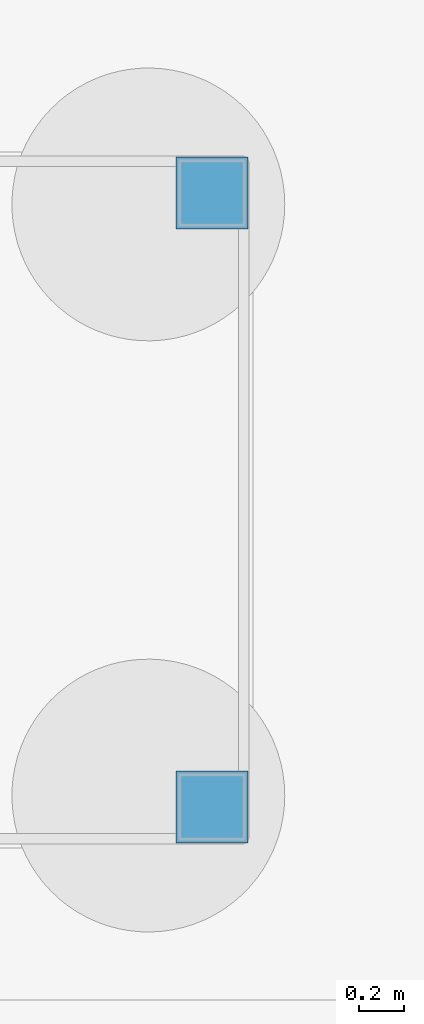
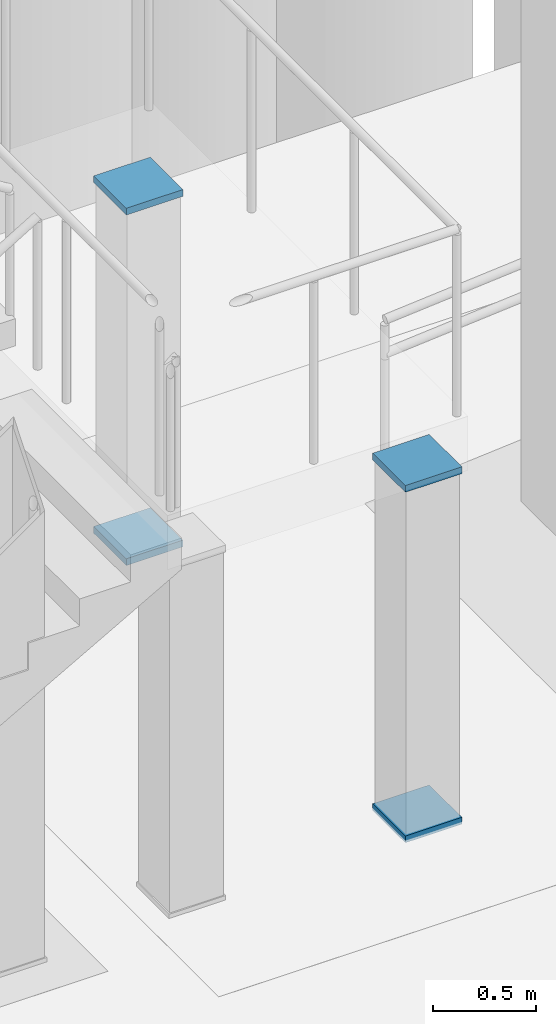
# One storey, part 137 of 160: 4 discrete accessories.
"""IFC4 building model written with IfcOpenShell, lengths in metres."""

from ifc_helpers import new_model, si_unit, direction, frame, origin, origin_2d, place, context, subcontext, project, spatial, rectangle, extrude, material, element, save


model = new_model("IFC4")

# Units and contexts
model_context = context("Model", 3, precision=1e-05, world=origin(), true_north=direction((0.0, 1.0)))
body_context = subcontext(model_context, "Body", "Model", "MODEL_VIEW")
ifc_project = project(units=[si_unit("LENGTHUNIT", "METRE"), si_unit("AREAUNIT", "SQUARE_METRE"), si_unit("VOLUMEUNIT", "CUBIC_METRE"), si_unit("PLANEANGLEUNIT", "RADIAN"), si_unit("MASSUNIT", "GRAM", prefix="KILO")], contexts=[model_context])

# Site, building, storey
site_placement = place(None, origin())
site = spatial("IfcSite", under=ifc_project, at=site_placement, CompositionType="ELEMENT")
building_placement = place(site_placement, origin())
building = spatial("IfcBuilding", under=site, at=building_placement, Name="Marlcrest Central Station", CompositionType="ELEMENT")
storey_placement = place(building_placement, origin())
storey = spatial("IfcBuildingStorey", under=building, at=storey_placement, Name="L00", CompositionType="ELEMENT", Elevation=0.0)

# Discrete accessories
ifc_material = material(Name="Steel S355", Category="steel")
for number, where, z_axis, x_axis, name in (
    (1, (126.830078125, 49.64990234375, -0.014892578125), (0.0, 0.0, 1.0), (1.0, 0.0, 0.0), "endcap-stcol-0011-1268-496-s"),
    (2, (126.830078125, 49.64990234375, 2.05517578125), (0.0, 0.0, 1.0), (1.0, 0.0, 0.0), "endcap-stcol-0011-1268-496-e"),
    (3, (126.830078125, 52.35009765625, -0.014892578125), (0.0, 0.0, 1.0), (1.0, 0.0, 0.0), "endcap-stcol-0011-1268-523-s"),
    (4, (126.830078125, 52.35009765625, 2.05517578125), (0.0, 0.0, 1.0), (1.0, 0.0, 0.0), "endcap-stcol-0011-1268-523-e"),
):
    element("IfcDiscreteAccessory", number, at=place(storey_placement, frame(where, z_axis=z_axis, x_axis=x_axis)), inside=storey, material=ifc_material, Name=name, ObjectType="END_CAP_PLATE", PredefinedType="BRACKET", context=body_context, shape_type="SweptSolid", body=[
        extrude(rectangle(XDim=0.31591796875, YDim=0.31591796875, at=origin_2d()), origin(), (0.0, 0.0, 1.0), 0.0400390625),
    ])

save(model, "model.ifc")
